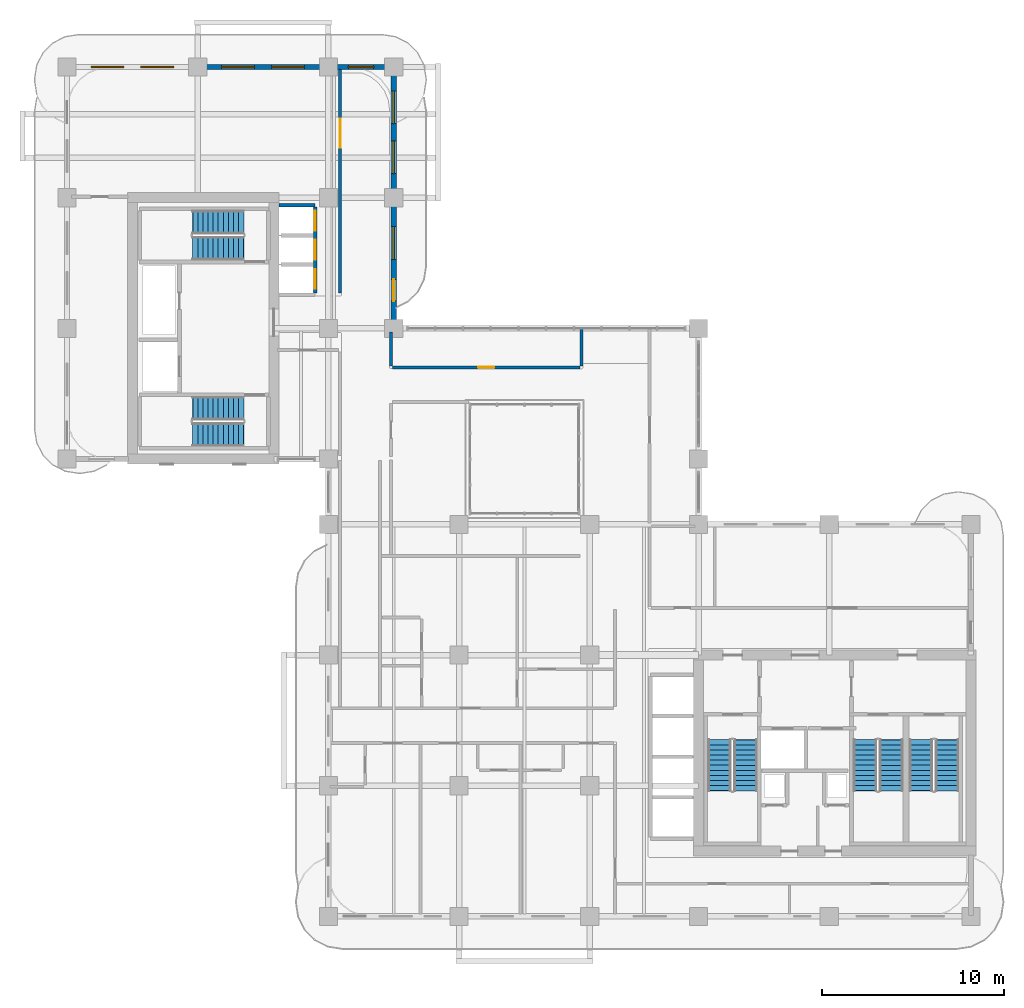
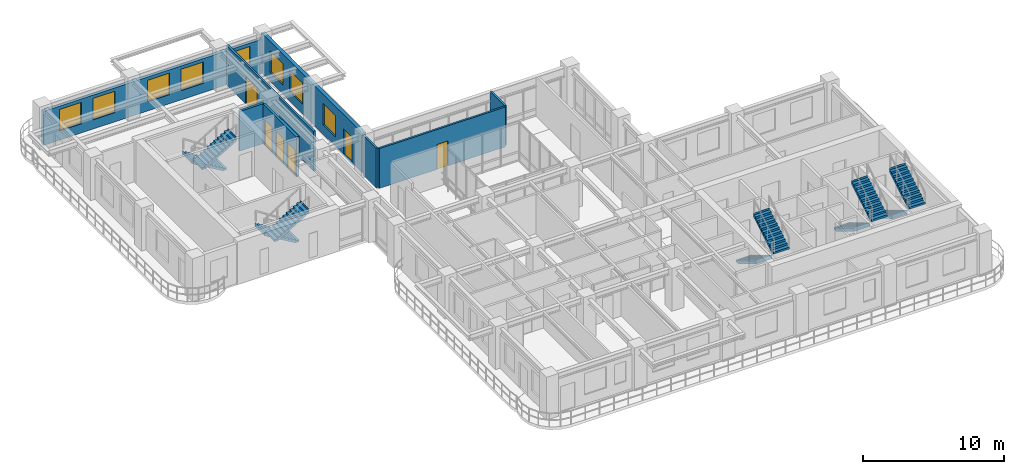
# One storey, part 15 of 19: 10 stair flights, 8 walls, 8 windows, 6 doors, 14 openings, 5 elements without a shape of their own.
"""IFC4 building model written with IfcOpenShell, lengths in metres."""

from ifc_helpers import new_model, si_unit, derived_unit, direction, frame, frame_2d, origin, place, context, subcontext, project, spatial, polyline, rectangle, outline, extrude, source, transform, mapped, material, layer, layer_set, type_object, type_shapes, element, fill, aggregate, save


model = new_model("IFC4")

# Units and contexts
model_context = context("Model", 3, precision=1e-05, world=origin(), true_north=direction((0.0, 1.0)))
body_context = subcontext(model_context, "Body", "Model", "MODEL_VIEW")
ifc_project = project(units=[si_unit("LENGTHUNIT", "METRE"), si_unit("AREAUNIT", "SQUARE_METRE"), si_unit("VOLUMEUNIT", "CUBIC_METRE"), si_unit("PLANEANGLEUNIT", "RADIAN"), si_unit("MASSUNIT", "GRAM", prefix="KILO"), si_unit("THERMODYNAMICTEMPERATUREUNIT", "KELVIN"), si_unit("POWERUNIT", "WATT"), derived_unit("THERMALTRANSMITTANCEUNIT", [(si_unit("POWERUNIT", "WATT"), 1), (si_unit("AREAUNIT", "SQUARE_METRE"), -1), (si_unit("THERMODYNAMICTEMPERATUREUNIT", "KELVIN"), -1)])], contexts=[model_context])

# Site, building, storey
site_placement = place(None, origin())
site = spatial("IfcSite", under=ifc_project, at=site_placement, CompositionType="ELEMENT")
building_placement = place(site_placement, origin())
building = spatial("IfcBuilding", under=site, at=building_placement, Name="Zahravan Archway Hotel and Residences", CompositionType="ELEMENT")
storey_placement = place(building_placement, frame((0.0, 0.0, 134.0)))
storey = spatial("IfcBuildingStorey", under=building, at=storey_placement, Name="L33", CompositionType="ELEMENT", Elevation=134.0)

# Wall, openings, windows
ifc_material_1 = material(Name="Honed Red-Ochre Sandstone & Insulated Block", Category="masonry")
ifc_layer_1 = layer(ifc_material_1, 0.280029296875, Name="Honed Red-Ochre Sandstone & Insulated Block", Category="masonry")
ifc_layer_set_1 = layer_set([ifc_layer_1], Name="Honed Red-Ochre Sandstone & Insulated Block")
wall_type_1 = type_object("IfcWallType", Name="EW-LOG-280", PredefinedType="SOLIDWALL", material=ifc_layer_set_1)
wall_1_placement = place(storey_placement, frame((0.0, 46.800048828125, 0.0), z_axis=(0.0, 0.0, 1.0), x_axis=(1.0, 0.0, 0.0)))
wall_1 = element("IfcWall", 1, at=wall_1_placement, inside=storey, type_object=wall_type_1, Name="L33 Exterior Sandstone Wall WB-N", PredefinedType="SOLIDWALL", context=body_context, shape_type="SweptSolid", body=[
    extrude(rectangle(XDim=18.0, YDim=0.280029296875, at=frame_2d((9.0, 0.0))), origin(), (0.0, 0.0, 1.0), 2.93505859375),
])
opening_1_placement = place(wall_1_placement, frame((1.324951171875, 0.0, 0.800048828125)))
opening_1 = element("IfcOpeningElement", 2, at=opening_1_placement, cuts=wall_1, Name="Opening W-02", PredefinedType="OPENING", context=body_context, shape_type="SweptSolid", body=[
    extrude(rectangle(XDim=1.800048828125, YDim=1.85009765625, at=frame_2d((0.89990234375, 0.925048828125))), frame((0.0, 0.14990234375, 0.0), z_axis=(0.0, -1.0, 0.0), x_axis=(1.0, 0.0, 0.0)), (0.0, 0.0, 1.0), 0.300048828125),
])
opening_2_placement = place(wall_1_placement, frame((4.074951171875, 0.0, 0.800048828125)))
opening_2 = element("IfcOpeningElement", 3, at=opening_2_placement, cuts=wall_1, Name="Opening W-02", PredefinedType="OPENING", context=body_context, shape_type="SweptSolid", body=[
    extrude(rectangle(XDim=1.800048828125, YDim=1.85009765625, at=frame_2d((0.89990234375, 0.925048828125))), frame((0.0, 0.14990234375, 0.0), z_axis=(0.0, -1.0, 0.0), x_axis=(1.0, 0.0, 0.0)), (0.0, 0.0, 1.0), 0.300048828125),
])
opening_3_placement = place(wall_1_placement, frame((8.52490234375, 0.0, 0.800048828125)))
opening_3 = element("IfcOpeningElement", 4, at=opening_3_placement, cuts=wall_1, Name="Opening W-02", PredefinedType="OPENING", context=body_context, shape_type="SweptSolid", body=[
    extrude(rectangle(XDim=1.800048828125, YDim=1.85009765625, at=frame_2d((0.89990234375, 0.925048828125))), frame((0.0, 0.14990234375, 0.0), z_axis=(0.0, -1.0, 0.0), x_axis=(1.0, 0.0, 0.0)), (0.0, 0.0, 1.0), 0.300048828125),
])
opening_4_placement = place(wall_1_placement, frame((11.27490234375, 0.0, 0.800048828125)))
opening_4 = element("IfcOpeningElement", 5, at=opening_4_placement, cuts=wall_1, Name="Opening W-02", PredefinedType="OPENING", context=body_context, shape_type="SweptSolid", body=[
    extrude(rectangle(XDim=1.800048828125, YDim=1.85009765625, at=frame_2d((0.89990234375, 0.925048828125))), frame((0.0, 0.14990234375, 0.0), z_axis=(0.0, -1.0, 0.0), x_axis=(1.0, 0.0, 0.0)), (0.0, 0.0, 1.0), 0.300048828125),
])
opening_5_placement = place(wall_1_placement, frame((15.5, 0.0, 0.800048828125)))
opening_5 = element("IfcOpeningElement", 6, at=opening_5_placement, cuts=wall_1, Name="Opening W-03", PredefinedType="OPENING", context=body_context, shape_type="SweptSolid", body=[
    extrude(rectangle(XDim=1.39990234375, YDim=1.85009765625, at=frame_2d((0.699951171875, 0.925048828125))), frame((0.0, 0.14990234375, 0.0), z_axis=(0.0, -1.0, 0.0), x_axis=(1.0, 0.0, 0.0)), (0.0, 0.0, 1.0), 0.300048828125),
])
ifc_material_2 = material(Name="Bronze-Anodized Thermal-Break Aluminium & Low-E Glass", Category="aluminium")
window_type_1 = type_object("IfcWindowType", Name="WIN-TWR-1400", PartitioningType="SINGLE_PANEL", PredefinedType="WINDOW", material=ifc_material_2)
shared_shape_1 = source(origin(), body_context, "Body", "SweptSolid", [
    extrude(rectangle(XDim=1.39990234375, YDim=1.85009765625, at=frame_2d((0.699951171875, 0.925048828125))), frame((0.0, 0.030029296875, 0.0), z_axis=(0.0, -1.0, 0.0), x_axis=(1.0, 0.0, 0.0)), (0.0, 0.0, 1.0), 0.06005859375),
])
type_shapes(window_type_1, [shared_shape_1])
window_1_placement = place(opening_5_placement, origin())
window_1 = element("IfcWindow", 7, at=window_1_placement, inside=storey, type_object=window_type_1, Name="L33 Loggia Window 30", OverallHeight=1.85009765625, OverallWidth=1.39990234375, PartitioningType="SINGLE_PANEL", PredefinedType="WINDOW", context=body_context, shape_type="MappedRepresentation", body=[
    mapped(shared_shape_1, transform((0.0, 0.0, 0.0), scale=1.0)),
])
fill(opening_5, window_1)
window_type_2 = type_object("IfcWindowType", Name="WIN-TWR-1800", PartitioningType="DOUBLE_PANEL_VERTICAL", PredefinedType="WINDOW", material=ifc_material_2)
shared_shape_2 = source(origin(), body_context, "Body", "SweptSolid", [
    extrude(rectangle(XDim=1.800048828125, YDim=1.85009765625, at=frame_2d((0.89990234375, 0.925048828125))), frame((0.0, 0.030029296875, 0.0), z_axis=(0.0, -1.0, 0.0), x_axis=(1.0, 0.0, 0.0)), (0.0, 0.0, 1.0), 0.06005859375),
])
type_shapes(window_type_2, [shared_shape_2])
window_2_placement = place(opening_1_placement, origin())
window_2 = element("IfcWindow", 8, at=window_2_placement, inside=storey, type_object=window_type_2, Name="L33 Loggia Window 26", OverallHeight=1.85009765625, OverallWidth=1.800048828125, PartitioningType="DOUBLE_PANEL_VERTICAL", PredefinedType="WINDOW", context=body_context, shape_type="MappedRepresentation", body=[
    mapped(shared_shape_2, transform((0.0, 0.0, 0.0), scale=1.0)),
])
fill(opening_1, window_2)
window_3_placement = place(opening_2_placement, origin())
window_3 = element("IfcWindow", 9, at=window_3_placement, inside=storey, type_object=window_type_2, Name="L33 Loggia Window 27", OverallHeight=1.85009765625, OverallWidth=1.800048828125, PartitioningType="DOUBLE_PANEL_VERTICAL", PredefinedType="WINDOW", context=body_context, shape_type="MappedRepresentation", body=[
    mapped(shared_shape_2, transform((0.0, 0.0, 0.0), scale=1.0)),
])
fill(opening_2, window_3)
window_4_placement = place(opening_3_placement, origin())
window_4 = element("IfcWindow", 10, at=window_4_placement, inside=storey, type_object=window_type_2, Name="L33 Loggia Window 28", OverallHeight=1.85009765625, OverallWidth=1.800048828125, PartitioningType="DOUBLE_PANEL_VERTICAL", PredefinedType="WINDOW", context=body_context, shape_type="MappedRepresentation", body=[
    mapped(shared_shape_2, transform((0.0, 0.0, 0.0), scale=1.0)),
])
fill(opening_3, window_4)
window_5_placement = place(opening_4_placement, origin())
window_5 = element("IfcWindow", 11, at=window_5_placement, inside=storey, type_object=window_type_2, Name="L33 Loggia Window 29", OverallHeight=1.85009765625, OverallWidth=1.800048828125, PartitioningType="DOUBLE_PANEL_VERTICAL", PredefinedType="WINDOW", context=body_context, shape_type="MappedRepresentation", body=[
    mapped(shared_shape_2, transform((0.0, 0.0, 0.0), scale=1.0)),
])
fill(opening_4, window_5)

# Wall, openings, door, windows
wall_2_placement = place(storey_placement, frame((18.0, 32.39990234375, 0.0), z_axis=(0.0, 0.0, 1.0), x_axis=(0.0, 1.0, 0.0)))
wall_2 = element("IfcWall", 12, at=wall_2_placement, inside=storey, type_object=wall_type_1, Name="L33 Exterior Sandstone Wall WB-EU", PredefinedType="SOLIDWALL", context=body_context, shape_type="SweptSolid", body=[
    extrude(rectangle(XDim=14.35009765625, YDim=0.280029296875, at=frame_2d((7.175048828125, 0.0))), origin(), (0.0, 0.0, 1.0), 3.449951171875),
])
opening_6_placement = place(wall_2_placement, frame((1.5, 0.0, 0.0)))
opening_6 = element("IfcOpeningElement", 13, at=opening_6_placement, cuts=wall_2, Name="Opening ED-BL1", PredefinedType="OPENING", context=body_context, shape_type="SweptSolid", body=[
    extrude(rectangle(XDim=1.199951171875, YDim=2.199951171875, at=frame_2d((0.60009765625, 1.10009765625))), frame((0.0, 0.14990234375, 0.0), z_axis=(0.0, -1.0, 0.0), x_axis=(1.0, 0.0, 0.0)), (0.0, 0.0, 1.0), 0.300048828125),
])
opening_7_placement = place(wall_2_placement, frame((3.800048828125, 0.0, 0.800048828125)))
opening_7 = element("IfcOpeningElement", 14, at=opening_7_placement, cuts=wall_2, Name="Opening W-02", PredefinedType="OPENING", context=body_context, shape_type="SweptSolid", body=[
    extrude(rectangle(XDim=1.800048828125, YDim=1.85009765625, at=frame_2d((0.89990234375, 0.925048828125))), frame((0.0, 0.14990234375, 0.0), z_axis=(0.0, -1.0, 0.0), x_axis=(1.0, 0.0, 0.0)), (0.0, 0.0, 1.0), 0.300048828125),
])
opening_8_placement = place(wall_2_placement, frame((8.52490234375, 0.0, 0.800048828125)))
opening_8 = element("IfcOpeningElement", 15, at=opening_8_placement, cuts=wall_2, Name="Opening W-02", PredefinedType="OPENING", context=body_context, shape_type="SweptSolid", body=[
    extrude(rectangle(XDim=1.800048828125, YDim=1.85009765625, at=frame_2d((0.89990234375, 0.925048828125))), frame((0.0, 0.14990234375, 0.0), z_axis=(0.0, -1.0, 0.0), x_axis=(1.0, 0.0, 0.0)), (0.0, 0.0, 1.0), 0.300048828125),
])
opening_9_placement = place(wall_2_placement, frame((11.27490234375, 0.0, 0.800048828125)))
opening_9 = element("IfcOpeningElement", 16, at=opening_9_placement, cuts=wall_2, Name="Opening W-02", PredefinedType="OPENING", context=body_context, shape_type="SweptSolid", body=[
    extrude(rectangle(XDim=1.800048828125, YDim=1.85009765625, at=frame_2d((0.89990234375, 0.925048828125))), frame((0.0, 0.14990234375, 0.0), z_axis=(0.0, -1.0, 0.0), x_axis=(1.0, 0.0, 0.0)), (0.0, 0.0, 1.0), 0.300048828125),
])
ifc_material_3 = material(Name="Bronze-Anodized Glazed Aluminium", Category="aluminium")
door_type_1 = type_object("IfcDoorType", Name="ED-BALC-1200", OperationType="SLIDING_TO_LEFT", PredefinedType="DOOR", material=ifc_material_3)
shared_shape_3 = source(origin(), body_context, "Body", "SweptSolid", [
    extrude(rectangle(XDim=1.199951171875, YDim=2.199951171875, at=frame_2d((0.60009765625, 1.10009765625))), frame((0.0, 0.02490234375, 0.0), z_axis=(0.0, -1.0, 0.0), x_axis=(1.0, 0.0, 0.0)), (0.0, 0.0, 1.0), 0.050048828125),
])
type_shapes(door_type_1, [shared_shape_3])
door_1_placement = place(opening_6_placement, origin())
door_1 = element("IfcDoor", 17, at=door_1_placement, inside=storey, type_object=door_type_1, Name="L33 Outdoor Access Sliding Door (SLB-BAL-L33-EB)", OperationType="SLIDING_TO_LEFT", OverallHeight=2.199951171875, OverallWidth=1.199951171875, PredefinedType="DOOR", context=body_context, shape_type="MappedRepresentation", body=[
    mapped(shared_shape_3, transform((0.0, 0.0, 0.0), scale=1.0)),
])
fill(opening_6, door_1)
window_6_placement = place(opening_7_placement, origin())
window_6 = element("IfcWindow", 18, at=window_6_placement, inside=storey, type_object=window_type_2, Name="L33 Loggia Window 31", OverallHeight=1.85009765625, OverallWidth=1.800048828125, PartitioningType="DOUBLE_PANEL_VERTICAL", PredefinedType="WINDOW", context=body_context, shape_type="MappedRepresentation", body=[
    mapped(shared_shape_2, transform((0.0, 0.0, 0.0), scale=1.0)),
])
fill(opening_7, window_6)
window_7_placement = place(opening_8_placement, origin())
window_7 = element("IfcWindow", 19, at=window_7_placement, inside=storey, type_object=window_type_2, Name="L33 Loggia Window 32", OverallHeight=1.85009765625, OverallWidth=1.800048828125, PartitioningType="DOUBLE_PANEL_VERTICAL", PredefinedType="WINDOW", context=body_context, shape_type="MappedRepresentation", body=[
    mapped(shared_shape_2, transform((0.0, 0.0, 0.0), scale=1.0)),
])
fill(opening_8, window_7)
window_8_placement = place(opening_9_placement, origin())
window_8 = element("IfcWindow", 20, at=window_8_placement, inside=storey, type_object=window_type_2, Name="L33 Loggia Window 33", OverallHeight=1.85009765625, OverallWidth=1.800048828125, PartitioningType="DOUBLE_PANEL_VERTICAL", PredefinedType="WINDOW", context=body_context, shape_type="MappedRepresentation", body=[
    mapped(shared_shape_2, transform((0.0, 0.0, 0.0), scale=1.0)),
])
fill(opening_9, window_8)

# Wall, opening, door
ifc_material_4 = material(Name="Fire-Rated Gypsum & Concrete Block", Category="concrete")
ifc_layer_2 = layer(ifc_material_4, 0.159912109375, Name="Fire-Rated Gypsum & Concrete Block", Category="concrete")
ifc_layer_set_2 = layer_set([ifc_layer_2], Name="Fire-Rated Gypsum & Concrete Block")
wall_type_2 = type_object("IfcWallType", Name="PW-CORR-160", PredefinedType="PARTITIONING", material=ifc_layer_set_2)
wall_3_placement = place(storey_placement, frame((15.050048828125, 34.340087890625, 0.0), z_axis=(0.0, 0.0, 1.0), x_axis=(0.0, 1.0, 0.0)))
wall_3 = element("IfcWall", 21, at=wall_3_placement, inside=storey, type_object=wall_type_2, Name="L33 Partition WBN-C", PredefinedType="PARTITIONING", context=body_context, shape_type="SweptSolid", body=[
    extrude(rectangle(XDim=12.31201171875, YDim=0.159912109375, at=frame_2d((6.156005859375, 0.0))), origin(), (0.0, 0.0, 1.0), 3.449951171875),
])
opening_10_placement = place(wall_3_placement, frame((8.010009765625, 0.0, 0.0)))
opening_10 = element("IfcOpeningElement", 22, at=opening_10_placement, cuts=wall_3, Name="Opening D-P2", PredefinedType="OPENING", context=body_context, shape_type="SweptSolid", body=[
    extrude(rectangle(XDim=1.60009765625, YDim=2.39990234375, at=frame_2d((0.800048828125, 1.199951171875))), frame((0.0, 0.08984375, 0.0), z_axis=(0.0, -1.0, 0.0), x_axis=(1.0, 0.0, 0.0)), (0.0, 0.0, 1.0), 0.179931640625),
])
door_type_2 = type_object("IfcDoorType", Name="ID-PUBLIC-1600", OperationType="DOUBLE_DOOR_SINGLE_SWING", PredefinedType="DOOR", material=ifc_material_3)
shared_shape_4 = source(origin(), body_context, "Body", "SweptSolid", [
    extrude(rectangle(XDim=1.60009765625, YDim=2.39990234375, at=frame_2d((0.800048828125, 1.199951171875))), frame((0.0, 0.02490234375, 0.0), z_axis=(0.0, -1.0, 0.0), x_axis=(1.0, 0.0, 0.0)), (0.0, 0.0, 1.0), 0.050048828125),
])
type_shapes(door_type_2, [shared_shape_4])
door_2_placement = place(opening_10_placement, origin())
door_2 = element("IfcDoor", 23, at=door_2_placement, inside=storey, type_object=door_type_2, Name="L33 North Wing Spa Salon Door", OperationType="DOUBLE_DOOR_SINGLE_SWING", OverallHeight=2.39990234375, OverallWidth=1.60009765625, PredefinedType="DOOR", context=body_context, shape_type="MappedRepresentation", body=[
    mapped(shared_shape_4, transform((0.0, 0.0, 0.0), scale=1.0)),
])
fill(opening_10, door_2)

# Walls
wall_4_placement = place(storey_placement, frame((17.85009765625, 30.340087890625, 0.0), z_axis=(0.0, 0.0, 1.0), x_axis=(0.0, 1.0, 0.0)))
element("IfcWall", 24, at=wall_4_placement, inside=storey, type_object=wall_type_2, Name="L33 Partition ATR-NWW2", PredefinedType="PARTITIONING", context=body_context, shape_type="SweptSolid", body=[
    extrude(rectangle(XDim=1.869873046875, YDim=0.159912109375, at=frame_2d((0.93505859375, 0.0))), origin(), (0.0, 0.0, 1.0), 3.449951171875),
])
wall_5_placement = place(storey_placement, frame((28.35009765625, 30.340087890625, 0.0), z_axis=(0.0, 0.0, 1.0), x_axis=(0.0, 1.0, 0.0)))
element("IfcWall", 25, at=wall_5_placement, inside=storey, type_object=wall_type_2, Name="L33 Partition ATR-NWE", PredefinedType="PARTITIONING", context=body_context, shape_type="SweptSolid", body=[
    extrude(rectangle(XDim=2.031982421875, YDim=0.159912109375, at=frame_2d((1.01611328125, 0.0))), origin(), (0.0, 0.0, 1.0), 3.449951171875),
])

# Wall, opening, door
wall_6_placement = place(storey_placement, frame((17.93994140625, 30.25, 0.0), z_axis=(0.0, 0.0, 1.0), x_axis=(1.0, 0.0, 0.0)))
wall_6 = element("IfcWall", 26, at=wall_6_placement, inside=storey, type_object=wall_type_2, Name="L33 Partition ATR-NW2N", PredefinedType="PARTITIONING", context=body_context, shape_type="SweptSolid", body=[
    extrude(rectangle(XDim=10.320068359375, YDim=0.159912109375, at=frame_2d((5.16015625, 0.0))), origin(), (0.0, 0.0, 1.0), 3.449951171875),
])
opening_11_placement = place(wall_6_placement, frame((4.7099609375, 0.0, 0.0)))
opening_11 = element("IfcOpeningElement", 27, at=opening_11_placement, cuts=wall_6, Name="Opening D-I2", PredefinedType="OPENING", context=body_context, shape_type="SweptSolid", body=[
    extrude(rectangle(XDim=0.89990234375, YDim=2.14990234375, at=frame_2d((0.449951171875, 1.074951171875))), frame((0.0, 0.08984375, 0.0), z_axis=(0.0, -1.0, 0.0), x_axis=(1.0, 0.0, 0.0)), (0.0, 0.0, 1.0), 0.179931640625),
])
ifc_material_5 = material(Name="Hardwood Veneer Timber", Category="wood")
door_type_3 = type_object("IfcDoorType", Name="ID-INT-900", OperationType="NOTDEFINED", PredefinedType="DOOR", material=ifc_material_5)
shared_shape_5 = source(origin(), body_context, "Body", "SweptSolid", [
    extrude(rectangle(XDim=0.89990234375, YDim=2.14990234375, at=frame_2d((0.449951171875, 1.074951171875))), frame((0.0, 0.02490234375, 0.0), z_axis=(0.0, -1.0, 0.0), x_axis=(1.0, 0.0, 0.0)), (0.0, 0.0, 1.0), 0.050048828125),
])
type_shapes(door_type_3, [shared_shape_5])
door_3_placement = place(opening_11_placement, origin())
door_3 = element("IfcDoor", 28, at=door_3_placement, inside=storey, type_object=door_type_3, Name="L33 Atrium North Seminar Door", OperationType="SINGLE_SWING_RIGHT", OverallHeight=2.14990234375, OverallWidth=0.89990234375, PredefinedType="DOOR", context=body_context, shape_type="MappedRepresentation", body=[
    mapped(shared_shape_5, transform((0.0, 0.0, 0.0), scale=1.0)),
])
fill(opening_11, door_3)

# Wall
ifc_layer_3 = layer(ifc_material_4, 0.199951171875, Name="Fire-Rated Gypsum & Concrete Block", Category="concrete")
ifc_layer_set_3 = layer_set([ifc_layer_3], Name="Fire-Rated Gypsum & Concrete Block")
wall_type_3 = type_object("IfcWallType", Name="PW-SHAFT-200", PredefinedType="PARTITIONING", material=ifc_layer_set_3)
wall_7_placement = place(storey_placement, frame((11.68505859375, 39.18994140625, 0.0), z_axis=(0.0, 0.0, 1.0), x_axis=(1.0, 0.0, 0.0)))
element("IfcWall", 29, at=wall_7_placement, inside=storey, type_object=wall_type_3, Name="L33 Partition B2-N", PredefinedType="PARTITIONING", context=body_context, shape_type="SweptSolid", body=[
    extrude(rectangle(XDim=1.98486328125, YDim=0.199951171875, at=frame_2d((0.992431640625, 0.0))), origin(), (0.0, 0.0, 1.0), 3.449951171875),
])

# Wall, openings, doors
wall_8_placement = place(storey_placement, frame((13.679931640625, 34.360107421875, 0.0), z_axis=(0.0, 0.0, 1.0), x_axis=(0.0, 1.0, 0.0)))
wall_8 = element("IfcWall", 30, at=wall_8_placement, inside=storey, type_object=wall_type_3, Name="L33 Partition B2-E", PredefinedType="PARTITIONING", context=body_context, shape_type="SweptSolid", body=[
    extrude(rectangle(XDim=4.719970703125, YDim=0.199951171875, at=frame_2d((2.35986328125, 0.0))), origin(), (0.0, 0.0, 1.0), 3.449951171875),
])
opening_12_placement = place(wall_8_placement, frame((0.2099609375, 0.0, 0.0)))
opening_12 = element("IfcOpeningElement", 31, at=opening_12_placement, cuts=wall_8, Name="Opening LD", PredefinedType="OPENING", context=body_context, shape_type="SweptSolid", body=[
    extrude(rectangle(XDim=1.10009765625, YDim=2.199951171875, at=frame_2d((0.550048828125, 1.10009765625))), frame((0.0, 0.10986328125, 0.0), z_axis=(0.0, -1.0, 0.0), x_axis=(1.0, 0.0, 0.0)), (0.0, 0.0, 1.0), 0.219970703125),
])
opening_13_placement = place(wall_8_placement, frame((1.81005859375, 0.0, 0.0)))
opening_13 = element("IfcOpeningElement", 32, at=opening_13_placement, cuts=wall_8, Name="Opening LD", PredefinedType="OPENING", context=body_context, shape_type="SweptSolid", body=[
    extrude(rectangle(XDim=1.10009765625, YDim=2.199951171875, at=frame_2d((0.550048828125, 1.10009765625))), frame((0.0, 0.10986328125, 0.0), z_axis=(0.0, -1.0, 0.0), x_axis=(1.0, 0.0, 0.0)), (0.0, 0.0, 1.0), 0.219970703125),
])
opening_14_placement = place(wall_8_placement, frame((3.409912109375, 0.0, 0.0)))
opening_14 = element("IfcOpeningElement", 33, at=opening_14_placement, cuts=wall_8, Name="Opening LD", PredefinedType="OPENING", context=body_context, shape_type="SweptSolid", body=[
    extrude(rectangle(XDim=1.10009765625, YDim=2.199951171875, at=frame_2d((0.550048828125, 1.10009765625))), frame((0.0, 0.10986328125, 0.0), z_axis=(0.0, -1.0, 0.0), x_axis=(1.0, 0.0, 0.0)), (0.0, 0.0, 1.0), 0.219970703125),
])
ifc_material_6 = material(Name="Brushed Stainless Steel", Category="steel")
door_type_4 = type_object("IfcDoorType", Name="DR-LIFT-LD", OperationType="SLIDING_TO_LEFT", PredefinedType="DOOR", material=ifc_material_6)
shared_shape_6 = source(origin(), body_context, "Body", "SweptSolid", [
    extrude(rectangle(XDim=1.10009765625, YDim=2.199951171875, at=frame_2d((0.550048828125, 1.10009765625))), frame((0.0, 0.02490234375, 0.0), z_axis=(0.0, -1.0, 0.0), x_axis=(1.0, 0.0, 0.0)), (0.0, 0.0, 1.0), 0.050048828125),
])
type_shapes(door_type_4, [shared_shape_6])
door_4_placement = place(opening_12_placement, origin())
door_4 = element("IfcDoor", 34, at=door_4_placement, inside=storey, type_object=door_type_4, Name="L33 Lift LP-4 Sliding Landing Door", OperationType="SLIDING_TO_LEFT", OverallHeight=2.199951171875, OverallWidth=1.10009765625, PredefinedType="DOOR", context=body_context, shape_type="MappedRepresentation", body=[
    mapped(shared_shape_6, transform((0.0, 0.0, 0.0), scale=1.0)),
])
fill(opening_12, door_4)
door_5_placement = place(opening_13_placement, origin())
door_5 = element("IfcDoor", 35, at=door_5_placement, inside=storey, type_object=door_type_4, Name="L33 Lift LP-5 Sliding Landing Door", OperationType="SLIDING_TO_LEFT", OverallHeight=2.199951171875, OverallWidth=1.10009765625, PredefinedType="DOOR", context=body_context, shape_type="MappedRepresentation", body=[
    mapped(shared_shape_6, transform((0.0, 0.0, 0.0), scale=1.0)),
])
fill(opening_13, door_5)
door_6_placement = place(opening_14_placement, origin())
door_6 = element("IfcDoor", 36, at=door_6_placement, inside=storey, type_object=door_type_4, Name="L33 Lift LP-6 Sliding Landing Door", OperationType="SLIDING_TO_LEFT", OverallHeight=2.199951171875, OverallWidth=1.10009765625, PredefinedType="DOOR", context=body_context, shape_type="MappedRepresentation", body=[
    mapped(shared_shape_6, transform((0.0, 0.0, 0.0), scale=1.0)),
])
fill(opening_14, door_6)

# Stair, stair flights
ifc_material_7 = material(Name="Concrete C50/60", Category="concrete")
stair_type = type_object("IfcStairType", Name="STR-CORE-1300", PredefinedType="HALF_TURN_STAIR", material=ifc_material_7)
stair_1_placement = place(storey_placement, origin())
stair_1 = element("IfcStair", 37, at=stair_1_placement, inside=storey, type_object=stair_type, Name="L33 Core A Exit Stair 1", PredefinedType="HALF_TURN_STAIR")
ifc_layer_4 = layer(ifc_material_7, 0.199951171875, Name="Concrete C50/60", Category="concrete")
ifc_layer_set_4 = layer_set([ifc_layer_4], Name="Concrete C50/60")
stair_flight_type = type_object("IfcStairFlightType", Name="SFL-CORE-1300", PredefinedType="STRAIGHT", material=ifc_layer_set_4)
shared_shape_7 = source(origin(), body_context, "Body", "SweptSolid", [
    extrude(outline(polyline([(-0.01611328125, 0.0), (-0.01611328125, 0.168212890625), (0.280029296875, 0.168212890625), (0.280029296875, 0.33642578125), (0.56005859375, 0.33642578125), (0.56005859375, 0.504638671875), (0.840087890625, 0.504638671875), (0.840087890625, 0.672607421875), (1.1201171875, 0.672607421875), (1.1201171875, 0.8408203125), (1.39990234375, 0.8408203125), (1.39990234375, 1.009033203125), (1.679931640625, 1.009033203125), (1.679931640625, 1.17724609375), (1.9599609375, 1.17724609375), (1.9599609375, 1.345458984375), (2.239990234375, 1.345458984375), (2.239990234375, 1.513671875), (2.52001953125, 1.513671875), (2.52001953125, 1.681884765625), (2.800048828125, 1.681884765625), (2.800048828125, 1.85009765625), (2.816162109375, 1.85009765625), (2.816162109375, 1.5068359375), (0.291015625, 0.0), (-0.01611328125, 0.0)])), frame((0.0, 0.64990234375, 0.0), z_axis=(0.0, -1.0, 0.0), x_axis=(1.0, 0.0, 0.0)), (0.0, 0.0, 1.0), 1.300048828125),
])
stair_flight_1_placement = place(storey_placement, frame((35.949951171875, 9.72998046875, 0.0), z_axis=(0.0, 0.0, 1.0), x_axis=(0.0, -1.0, 0.0)))
stair_flight_1 = element("IfcStairFlight", 38, at=stair_flight_1_placement, type_object=stair_flight_type, Name="ST-A1 flight 1", NumberOfRisers=11, NumberOfTreads=10, PredefinedType="STRAIGHT", RiserHeight=0.168181818, TreadLength=0.28, context=body_context, shape_type="MappedRepresentation", body=[
    mapped(shared_shape_7, transform((0.0, 0.0, 0.0), scale=1.0)),
])
stair_flight_2_placement = place(storey_placement, frame((37.389892578125, 6.929931640625, 1.85009765625), z_axis=(0.0, 0.0, 1.0), x_axis=(0.0, 1.0, 0.0)))
stair_flight_2 = element("IfcStairFlight", 39, at=stair_flight_2_placement, type_object=stair_flight_type, Name="ST-A1 flight 2", NumberOfRisers=11, NumberOfTreads=10, PredefinedType="STRAIGHT", RiserHeight=0.168181818, TreadLength=0.28, context=body_context, shape_type="MappedRepresentation", body=[
    mapped(shared_shape_7, transform((0.0, 0.0, 0.0), scale=1.0)),
])
aggregate(stair_1, [stair_flight_1, stair_flight_2])

stair_2_placement = place(storey_placement, origin())
stair_2 = element("IfcStair", 40, at=stair_2_placement, inside=storey, type_object=stair_type, Name="L33 Core A Exit Stair 2", PredefinedType="HALF_TURN_STAIR")
stair_flight_3_placement = place(storey_placement, frame((43.969970703125, 9.72998046875, 0.0), z_axis=(0.0, 0.0, 1.0), x_axis=(0.0, -1.0, 0.0)))
stair_flight_3 = element("IfcStairFlight", 41, at=stair_flight_3_placement, type_object=stair_flight_type, Name="ST-A2 flight 1", NumberOfRisers=11, NumberOfTreads=10, PredefinedType="STRAIGHT", RiserHeight=0.168181818, TreadLength=0.28, context=body_context, shape_type="MappedRepresentation", body=[
    mapped(shared_shape_7, transform((0.0, 0.0, 0.0), scale=1.0)),
])
stair_flight_4_placement = place(storey_placement, frame((45.409912109375, 6.929931640625, 1.85009765625), z_axis=(0.0, 0.0, 1.0), x_axis=(0.0, 1.0, 0.0)))
stair_flight_4 = element("IfcStairFlight", 42, at=stair_flight_4_placement, type_object=stair_flight_type, Name="ST-A2 flight 2", NumberOfRisers=11, NumberOfTreads=10, PredefinedType="STRAIGHT", RiserHeight=0.168181818, TreadLength=0.28, context=body_context, shape_type="MappedRepresentation", body=[
    mapped(shared_shape_7, transform((0.0, 0.0, 0.0), scale=1.0)),
])
aggregate(stair_2, [stair_flight_3, stair_flight_4])

stair_3_placement = place(storey_placement, origin())
stair_3 = element("IfcStair", 43, at=stair_3_placement, inside=storey, type_object=stair_type, Name="L33 Core A Exit Stair 3", PredefinedType="HALF_TURN_STAIR")
stair_flight_5_placement = place(storey_placement, frame((47.050048828125, 9.72998046875, 0.0), z_axis=(0.0, 0.0, 1.0), x_axis=(0.0, -1.0, 0.0)))
stair_flight_5 = element("IfcStairFlight", 44, at=stair_flight_5_placement, type_object=stair_flight_type, Name="ST-A3 flight 1", NumberOfRisers=11, NumberOfTreads=10, PredefinedType="STRAIGHT", RiserHeight=0.168181818, TreadLength=0.28, context=body_context, shape_type="MappedRepresentation", body=[
    mapped(shared_shape_7, transform((0.0, 0.0, 0.0), scale=1.0)),
])
stair_flight_6_placement = place(storey_placement, frame((48.489990234375, 6.929931640625, 1.85009765625), z_axis=(0.0, 0.0, 1.0), x_axis=(0.0, 1.0, 0.0)))
stair_flight_6 = element("IfcStairFlight", 45, at=stair_flight_6_placement, type_object=stair_flight_type, Name="ST-A3 flight 2", NumberOfRisers=11, NumberOfTreads=10, PredefinedType="STRAIGHT", RiserHeight=0.168181818, TreadLength=0.28, context=body_context, shape_type="MappedRepresentation", body=[
    mapped(shared_shape_7, transform((0.0, 0.0, 0.0), scale=1.0)),
])
aggregate(stair_3, [stair_flight_5, stair_flight_6])

stair_4_placement = place(storey_placement, origin())
stair_4 = element("IfcStair", 46, at=stair_4_placement, inside=storey, type_object=stair_type, Name="L33 Core B Exit Stair 1", PredefinedType="HALF_TURN_STAIR")
stair_flight_7_placement = place(storey_placement, frame((9.72998046875, 27.989990234375, 0.0), z_axis=(0.0, 0.0, 1.0), x_axis=(-1.0, 0.0, 0.0)))
stair_flight_7 = element("IfcStairFlight", 47, at=stair_flight_7_placement, type_object=stair_flight_type, Name="ST-B1 flight 1", NumberOfRisers=11, NumberOfTreads=10, PredefinedType="STRAIGHT", RiserHeight=0.168181818, TreadLength=0.28, context=body_context, shape_type="MappedRepresentation", body=[
    mapped(shared_shape_7, transform((0.0, 0.0, 0.0), scale=1.0)),
])
stair_flight_8_placement = place(storey_placement, frame((6.929931640625, 26.550048828125, 1.85009765625), z_axis=(0.0, 0.0, 1.0), x_axis=(1.0, 0.0, 0.0)))
stair_flight_8 = element("IfcStairFlight", 48, at=stair_flight_8_placement, type_object=stair_flight_type, Name="ST-B1 flight 2", NumberOfRisers=11, NumberOfTreads=10, PredefinedType="STRAIGHT", RiserHeight=0.168181818, TreadLength=0.28, context=body_context, shape_type="MappedRepresentation", body=[
    mapped(shared_shape_7, transform((0.0, 0.0, 0.0), scale=1.0)),
])
aggregate(stair_4, [stair_flight_7, stair_flight_8])

stair_5_placement = place(storey_placement, origin())
stair_5 = element("IfcStair", 49, at=stair_5_placement, inside=storey, type_object=stair_type, Name="L33 Core B Exit Stair 2", PredefinedType="HALF_TURN_STAIR")
stair_flight_9_placement = place(storey_placement, frame((9.72998046875, 38.25, 0.0), z_axis=(0.0, 0.0, 1.0), x_axis=(-1.0, 0.0, 0.0)))
stair_flight_9 = element("IfcStairFlight", 50, at=stair_flight_9_placement, type_object=stair_flight_type, Name="ST-B2 flight 1", NumberOfRisers=11, NumberOfTreads=10, PredefinedType="STRAIGHT", RiserHeight=0.168181818, TreadLength=0.28, context=body_context, shape_type="MappedRepresentation", body=[
    mapped(shared_shape_7, transform((0.0, 0.0, 0.0), scale=1.0)),
])
stair_flight_10_placement = place(storey_placement, frame((6.929931640625, 36.81005859375, 1.85009765625), z_axis=(0.0, 0.0, 1.0), x_axis=(1.0, 0.0, 0.0)))
stair_flight_10 = element("IfcStairFlight", 51, at=stair_flight_10_placement, type_object=stair_flight_type, Name="ST-B2 flight 2", NumberOfRisers=11, NumberOfTreads=10, PredefinedType="STRAIGHT", RiserHeight=0.168181818, TreadLength=0.28, context=body_context, shape_type="MappedRepresentation", body=[
    mapped(shared_shape_7, transform((0.0, 0.0, 0.0), scale=1.0)),
])
aggregate(stair_5, [stair_flight_9, stair_flight_10])

save(model, "model.ifc")
